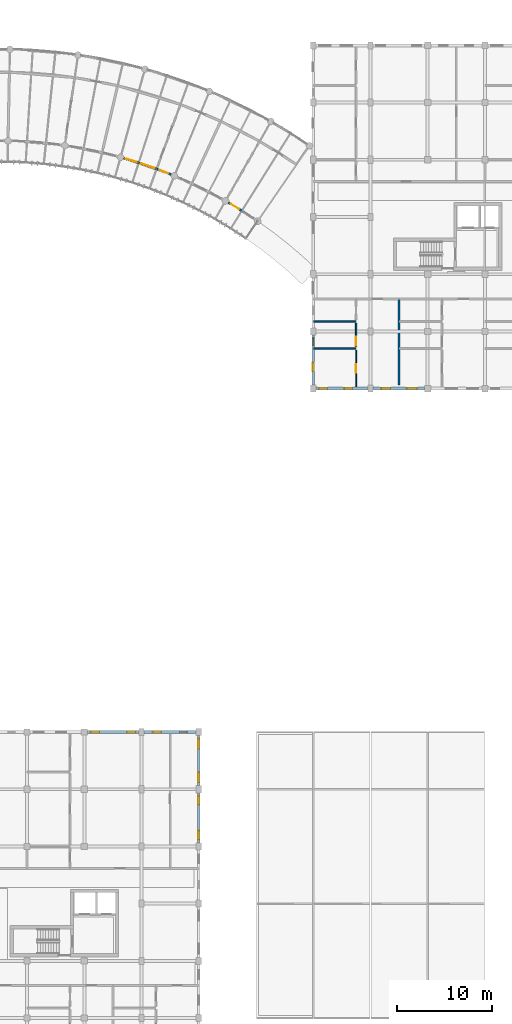
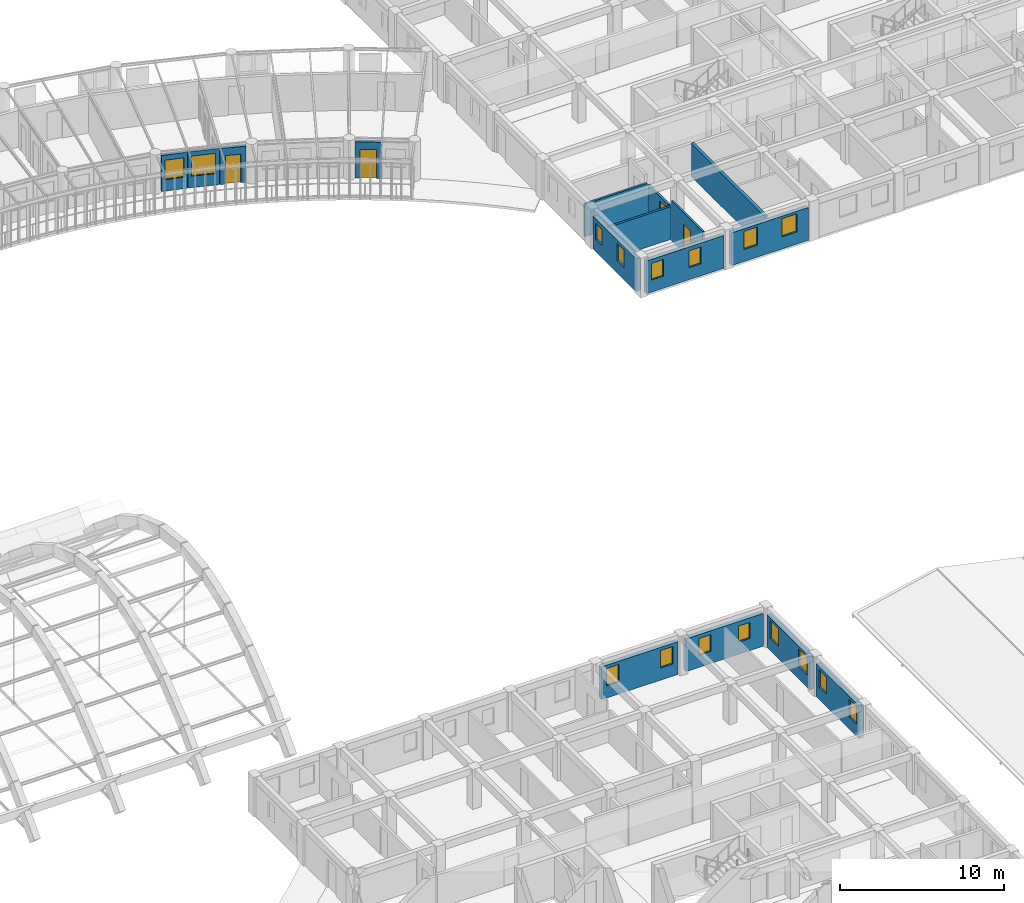
# One storey, part 96 of 123: 16 walls, 16 windows, 4 doors, 20 openings.
"""IFC4 building model written with IfcOpenShell, lengths in metres."""

from ifc_helpers import new_model, si_unit, direction, frame, frame_2d, origin, place, context, subcontext, project, spatial, rectangle, extrude, material, layer, layer_set, type_object, element, fill, save


model = new_model("IFC4")

# Units and contexts
model_context = context("Model", 3, precision=1e-05, world=origin(), true_north=direction((0.0, 1.0)))
body_context = subcontext(model_context, "Body", "Model", "MODEL_VIEW")
ifc_project = project(units=[si_unit("LENGTHUNIT", "METRE"), si_unit("AREAUNIT", "SQUARE_METRE"), si_unit("VOLUMEUNIT", "CUBIC_METRE"), si_unit("PLANEANGLEUNIT", "RADIAN"), si_unit("MASSUNIT", "GRAM", prefix="KILO"), si_unit("POWERUNIT", "WATT"), si_unit("THERMODYNAMICTEMPERATUREUNIT", "KELVIN")], contexts=[model_context])

# Site, building, storey
site_placement = place(None, origin())
site = spatial("IfcSite", under=ifc_project, at=site_placement, CompositionType="ELEMENT")
building_placement = place(site_placement, origin())
building = spatial("IfcBuilding", under=site, at=building_placement, Name="Ruvembo Vaulted Housing Court", CompositionType="ELEMENT")
storey_placement = place(building_placement, frame((0.0, 0.0, 7.699951171875)))
storey = spatial("IfcBuildingStorey", under=building, at=storey_placement, Name="L02", CompositionType="ELEMENT", Elevation=7.699951171875)

# Wall
ifc_material_1 = material(Name="Acoustic Masonry Demising 220", Category="masonry")
ifc_layer_1 = layer(ifc_material_1, 0.219970703125, Name="Acoustic Masonry Demising 220")
ifc_layer_set_1 = layer_set([ifc_layer_1], Name="Acoustic Masonry Demising 220")
wall_type_1 = type_object("IfcWallType", Name="WL-DEM-200", PredefinedType="SOLIDWALL", material=ifc_layer_set_1)
wall_1_placement = place(storey_placement, frame((159.0, 72.389892578125, 0.0), z_axis=(0.0, 0.0, 1.0), x_axis=(0.0, 1.0, 0.0)))
element("IfcWall", 1, at=wall_1_placement, inside=storey, type_object=wall_type_1, Name="L02 Demising D-L02-S1 WL-INT-L02-00632", PredefinedType="SOLIDWALL", context=body_context, shape_type="SweptSolid", body=[
    extrude(rectangle(XDim=8.97021484375, YDim=0.219970703125, at=frame_2d((4.485107421875, 0.0))), origin(), (0.0, 0.0, 1.0), 2.43701171875),
])

# Wall, opening, window
ifc_material_2 = material(Name="Rendered Masonry 235", Category="masonry")
ifc_layer_2 = layer(ifc_material_2, 0.235107421875, Name="Rendered Masonry 235")
ifc_layer_set_2 = layer_set([ifc_layer_2], Name="Rendered Masonry 235")
wall_type_2 = type_object("IfcWallType", Name="WL-EXT-235", PredefinedType="STANDARD", material=ifc_layer_set_2)
wall_2_placement = place(storey_placement, frame((130.1298828125, 96.1630859375, 0.0), z_axis=(0.0, 0.0, 1.0), x_axis=(0.958078548486, -0.286505662999, 0.0)))
wall_2 = element("IfcWall", 2, at=wall_2_placement, inside=storey, type_object=wall_type_2, Name="Scoop SC3 L02 Concave Balcony Wall 21", PredefinedType="STANDARD", context=body_context, shape_type="SweptSolid", body=[
    extrude(rectangle(XDim=1.62255859375, YDim=0.235107421875, at=frame_2d((0.811279296875, 0.0))), origin(), (0.0, 0.0, 1.0), 2.68408203125),
])
opening_1_placement = place(wall_2_placement, frame((0.211181640625, 0.0, 0.85009765625)))
opening_1 = element("IfcOpeningElement", 3, at=opening_1_placement, cuts=wall_2, Name="Opening W13", PredefinedType="OPENING", context=body_context, shape_type="SweptSolid", body=[
    extrude(rectangle(XDim=1.199951171875, YDim=1.449951171875, at=frame_2d((0.60009765625, 0.72509765625))), frame((0.0, 0.12744140625, 0.0), z_axis=(0.0, -1.0, 0.0), x_axis=(1.0, 0.0, 0.0)), (0.0, 0.0, 1.0), 0.255126953125),
])
ifc_material_3 = material(Name="Double Solar-Control Glazing in Aluminium Frame", Category="aluminium")
window_type_1 = type_object("IfcWindowType", Name="WIN-1200x1450", PartitioningType="SINGLE_PANEL", PredefinedType="WINDOW", material=ifc_material_3)
window_1_placement = place(opening_1_placement, origin())
window_1 = element("IfcWindow", 4, at=window_1_placement, inside=storey, type_object=window_type_1, Name="Scoop SC3 L02 Concave Window 21", OverallHeight=1.449951171875, OverallWidth=1.199951171875, PartitioningType="SINGLE_PANEL", PredefinedType="WINDOW", context=body_context, shape_type="SweptSolid", body=[
    extrude(rectangle(XDim=1.199951171875, YDim=1.449951171875, at=frame_2d((0.60009765625, 0.72509765625))), frame((0.0, 0.030029296875, 0.0), z_axis=(0.0, -1.0, 0.0), x_axis=(1.0, 0.0, 0.0)), (0.0, 0.0, 1.0), 0.06005859375),
])
fill(opening_1, window_1)

wall_3_placement = place(storey_placement, frame((131.722412109375, 95.68603515625, 0.0), z_axis=(0.0, 0.0, 1.0), x_axis=(0.945368994877, -0.326002244662, 0.0)))
wall_3 = element("IfcWall", 5, at=wall_3_placement, inside=storey, type_object=wall_type_2, Name="Scoop SC3 L02 Concave Balcony Wall 22", PredefinedType="STANDARD", context=body_context, shape_type="SweptSolid", body=[
    extrude(rectangle(XDim=1.952392578125, YDim=0.235107421875, at=frame_2d((0.97607421875, 0.0))), origin(), (0.0, 0.0, 1.0), 2.68408203125),
])
opening_2_placement = place(wall_3_placement, frame((0.226318359375, 0.0, 0.85009765625)))
opening_2 = element("IfcOpeningElement", 6, at=opening_2_placement, cuts=wall_3, Name="Opening W19", PredefinedType="OPENING", context=body_context, shape_type="SweptSolid", body=[
    extrude(rectangle(XDim=1.5, YDim=1.5, at=frame_2d((0.75, 0.75))), frame((0.0, 0.12744140625, 0.0), z_axis=(0.0, -1.0, 0.0), x_axis=(1.0, 0.0, 0.0)), (0.0, 0.0, 1.0), 0.255126953125),
])
window_type_2 = type_object("IfcWindowType", Name="WIN-1500x1500", PartitioningType="SINGLE_PANEL", PredefinedType="WINDOW", material=ifc_material_3)
window_2_placement = place(opening_2_placement, origin())
window_2 = element("IfcWindow", 7, at=window_2_placement, inside=storey, type_object=window_type_2, Name="Scoop SC3 L02 Concave Window 22", OverallHeight=1.5, OverallWidth=1.5, PartitioningType="SINGLE_PANEL", PredefinedType="WINDOW", context=body_context, shape_type="SweptSolid", body=[
    extrude(rectangle(XDim=1.5, YDim=1.5, at=frame_2d((0.75, 0.75))), frame((0.0, 0.030029296875, 0.0), z_axis=(0.0, -1.0, 0.0), x_axis=(1.0, 0.0, 0.0)), (0.0, 0.0, 1.0), 0.06005859375),
])
fill(opening_2, window_2)

# Wall, opening, door
wall_4_placement = place(storey_placement, frame((133.605712890625, 95.03564453125, 0.0), z_axis=(0.0, 0.0, 1.0), x_axis=(0.931038371221, -0.364921294684, 0.0)))
wall_4 = element("IfcWall", 8, at=wall_4_placement, inside=storey, type_object=wall_type_2, Name="Scoop SC3 L02 Concave Balcony Wall 23", PredefinedType="STANDARD", context=body_context, shape_type="SweptSolid", body=[
    extrude(rectangle(XDim=1.622314453125, YDim=0.235107421875, at=frame_2d((0.81103515625, 0.0))), origin(), (0.0, 0.0, 1.0), 2.68408203125),
])
opening_3_placement = place(wall_4_placement, frame((0.336181640625, 0.0, 0.0)))
opening_3 = element("IfcOpeningElement", 9, at=opening_3_placement, cuts=wall_4, Name="Opening BD0", PredefinedType="OPENING", context=body_context, shape_type="SweptSolid", body=[
    extrude(rectangle(XDim=0.949951171875, YDim=2.1201171875, at=frame_2d((0.47509765625, 1.06005859375))), frame((0.0, 0.12744140625, 0.0), z_axis=(0.0, -1.0, 0.0), x_axis=(1.0, 0.0, 0.0)), (0.0, 0.0, 1.0), 0.255126953125),
])
ifc_material_4 = material(Name="Thermally Broken Glazed Aluminium", Category="aluminium")
door_type_1 = type_object("IfcDoorType", Name="DR-BAL-0950x2120", OperationType="NOTDEFINED", PredefinedType="DOOR", material=ifc_material_4)
door_1_placement = place(opening_3_placement, frame((0.949951171875, 0.0, 0.0), z_axis=(0.0, 0.0, 1.0), x_axis=(-1.0, 0.0, 0.0)))
door_1 = element("IfcDoor", 10, at=door_1_placement, inside=storey, type_object=door_type_1, Name="Scoop SC3 L02 Balcony Door 23", OperationType="SINGLE_SWING_LEFT", OverallHeight=2.1201171875, OverallWidth=0.949951171875, PredefinedType="DOOR", context=body_context, shape_type="SweptSolid", body=[
    extrude(rectangle(XDim=0.949951171875, YDim=2.1201171875, at=frame_2d((0.47509765625, 1.06005859375))), frame((0.0, 0.02490234375, 0.0), z_axis=(0.0, -1.0, 0.0), x_axis=(1.0, 0.0, 0.0)), (0.0, 0.0, 1.0), 0.050048828125),
])
fill(opening_3, door_1)

wall_5_placement = place(storey_placement, frame((141.10400390625, 91.502197265625, 0.0), z_axis=(0.0, 0.0, 1.0), x_axis=(0.85782472272, -0.513942355805, 0.0)))
wall_5 = element("IfcWall", 11, at=wall_5_placement, inside=storey, type_object=wall_type_2, Name="Scoop SC3 L02 Concave Balcony Wall 27", PredefinedType="STANDARD", context=body_context, shape_type="SweptSolid", body=[
    extrude(rectangle(XDim=1.622314453125, YDim=0.235107421875, at=frame_2d((0.81103515625, 0.0))), origin(), (0.0, 0.0, 1.0), 2.68408203125),
])
opening_4_placement = place(wall_5_placement, frame((0.311279296875, 0.0, 0.0)))
opening_4 = element("IfcOpeningElement", 12, at=opening_4_placement, cuts=wall_5, Name="Opening BD1", PredefinedType="OPENING", context=body_context, shape_type="SweptSolid", body=[
    extrude(rectangle(XDim=1.0, YDim=2.14990234375, at=frame_2d((0.5, 1.074951171875))), frame((0.0, 0.12744140625, 0.0), z_axis=(0.0, -1.0, 0.0), x_axis=(1.0, 0.0, 0.0)), (0.0, 0.0, 1.0), 0.255126953125),
])
door_type_2 = type_object("IfcDoorType", Name="DR-BAL-1000x2150", OperationType="NOTDEFINED", PredefinedType="DOOR", material=ifc_material_4)
door_2_placement = place(opening_4_placement, frame((1.0, 0.0, 0.0), z_axis=(0.0, 0.0, 1.0), x_axis=(-1.0, 0.0, 0.0)))
door_2 = element("IfcDoor", 13, at=door_2_placement, inside=storey, type_object=door_type_2, Name="Scoop SC3 L02 Balcony Door 27", OperationType="SINGLE_SWING_RIGHT", OverallHeight=2.14990234375, OverallWidth=1.0, PredefinedType="DOOR", context=body_context, shape_type="SweptSolid", body=[
    extrude(rectangle(XDim=1.0, YDim=2.14990234375, at=frame_2d((0.5, 1.074951171875))), frame((0.0, 0.02490234375, 0.0), z_axis=(0.0, -1.0, 0.0), x_axis=(1.0, 0.0, 0.0)), (0.0, 0.0, 1.0), 0.050048828125),
])
fill(opening_4, door_2)

# Wall, openings, windows
ifc_material_5 = material(Name="Rendered Masonry 300", Category="masonry")
ifc_layer_3 = layer(ifc_material_5, 0.300048828125, Name="Rendered Masonry 300")
ifc_layer_set_3 = layer_set([ifc_layer_3], Name="Rendered Masonry 300")
wall_type_3 = type_object("IfcWallType", Name="WL-EXT-300", PredefinedType="STANDARD", material=ifc_layer_set_3)
wall_6_placement = place(storey_placement, frame((138.0, 24.375, 0.0), z_axis=(0.0, 0.0, 1.0), x_axis=(0.0, 1.0, 0.0)))
wall_6 = element("IfcWall", 14, at=wall_6_placement, inside=storey, type_object=wall_type_3, Name="Block C L02 Exterior Wall EAST #5", PredefinedType="STANDARD", context=body_context, shape_type="SweptSolid", body=[
    extrude(rectangle(XDim=5.25, YDim=0.300048828125, at=frame_2d((2.625, 0.0))), origin(), (0.0, 0.0, 1.0), 2.43701171875),
])
opening_5_placement = place(wall_6_placement, frame((0.35009765625, 0.0, 0.89990234375)))
opening_5 = element("IfcOpeningElement", 15, at=opening_5_placement, cuts=wall_6, Name="Opening W04", PredefinedType="OPENING", context=body_context, shape_type="SweptSolid", body=[
    extrude(rectangle(XDim=0.89990234375, YDim=1.300048828125, at=frame_2d((0.449951171875, 0.64990234375))), frame((0.0, 0.159912109375, 0.0), z_axis=(0.0, -1.0, 0.0), x_axis=(1.0, 0.0, 0.0)), (0.0, 0.0, 1.0), 0.320068359375),
])
opening_6_placement = place(wall_6_placement, frame((4.0, 0.0, 0.89990234375)))
opening_6 = element("IfcOpeningElement", 16, at=opening_6_placement, cuts=wall_6, Name="Opening W04", PredefinedType="OPENING", context=body_context, shape_type="SweptSolid", body=[
    extrude(rectangle(XDim=0.89990234375, YDim=1.300048828125, at=frame_2d((0.449951171875, 0.64990234375))), frame((0.0, 0.159912109375, 0.0), z_axis=(0.0, -1.0, 0.0), x_axis=(1.0, 0.0, 0.0)), (0.0, 0.0, 1.0), 0.320068359375),
])
window_type_3 = type_object("IfcWindowType", Name="WIN-0900x1300", PartitioningType="SINGLE_PANEL", PredefinedType="WINDOW", material=ifc_material_3)
window_3_placement = place(opening_5_placement, origin())
window_3 = element("IfcWindow", 17, at=window_3_placement, inside=storey, type_object=window_type_3, Name="Block C L02 Window #1172", OverallHeight=1.300048828125, OverallWidth=0.89990234375, PartitioningType="SINGLE_PANEL", PredefinedType="WINDOW", context=body_context, shape_type="SweptSolid", body=[
    extrude(rectangle(XDim=0.89990234375, YDim=1.300048828125, at=frame_2d((0.449951171875, 0.64990234375))), frame((0.0, 0.030029296875, 0.0), z_axis=(0.0, -1.0, 0.0), x_axis=(1.0, 0.0, 0.0)), (0.0, 0.0, 1.0), 0.06005859375),
])
fill(opening_5, window_3)
window_4_placement = place(opening_6_placement, origin())
window_4 = element("IfcWindow", 18, at=window_4_placement, inside=storey, type_object=window_type_3, Name="Block C L02 Window #1173", OverallHeight=1.300048828125, OverallWidth=0.89990234375, PartitioningType="SINGLE_PANEL", PredefinedType="WINDOW", context=body_context, shape_type="SweptSolid", body=[
    extrude(rectangle(XDim=0.89990234375, YDim=1.300048828125, at=frame_2d((0.449951171875, 0.64990234375))), frame((0.0, 0.030029296875, 0.0), z_axis=(0.0, -1.0, 0.0), x_axis=(1.0, 0.0, 0.0)), (0.0, 0.0, 1.0), 0.06005859375),
])
fill(opening_6, window_4)

wall_7_placement = place(storey_placement, frame((138.0, 30.375, 0.0), z_axis=(0.0, 0.0, 1.0), x_axis=(0.0, 1.0, 0.0)))
wall_7 = element("IfcWall", 19, at=wall_7_placement, inside=storey, type_object=wall_type_3, Name="Block C L02 Exterior Wall EAST #6", PredefinedType="STANDARD", context=body_context, shape_type="SweptSolid", body=[
    extrude(rectangle(XDim=5.25, YDim=0.300048828125, at=frame_2d((2.625, 0.0))), origin(), (0.0, 0.0, 1.0), 2.43701171875),
])
opening_7_placement = place(wall_7_placement, frame((0.35009765625, 0.0, 0.89990234375)))
opening_7 = element("IfcOpeningElement", 20, at=opening_7_placement, cuts=wall_7, Name="Opening W09", PredefinedType="OPENING", context=body_context, shape_type="SweptSolid", body=[
    extrude(rectangle(XDim=1.050048828125, YDim=1.35009765625, at=frame_2d((0.52490234375, 0.675048828125))), frame((0.0, 0.159912109375, 0.0), z_axis=(0.0, -1.0, 0.0), x_axis=(1.0, 0.0, 0.0)), (0.0, 0.0, 1.0), 0.320068359375),
])
opening_8_placement = place(wall_7_placement, frame((3.85009765625, 0.0, 0.89990234375)))
opening_8 = element("IfcOpeningElement", 21, at=opening_8_placement, cuts=wall_7, Name="Opening W09", PredefinedType="OPENING", context=body_context, shape_type="SweptSolid", body=[
    extrude(rectangle(XDim=1.050048828125, YDim=1.35009765625, at=frame_2d((0.52490234375, 0.675048828125))), frame((0.0, 0.159912109375, 0.0), z_axis=(0.0, -1.0, 0.0), x_axis=(1.0, 0.0, 0.0)), (0.0, 0.0, 1.0), 0.320068359375),
])
window_type_4 = type_object("IfcWindowType", Name="WIN-1050x1350", PartitioningType="SINGLE_PANEL", PredefinedType="WINDOW", material=ifc_material_3)
window_5_placement = place(opening_7_placement, origin())
window_5 = element("IfcWindow", 22, at=window_5_placement, inside=storey, type_object=window_type_4, Name="Block C L02 Window #1174", OverallHeight=1.35009765625, OverallWidth=1.050048828125, PartitioningType="SINGLE_PANEL", PredefinedType="WINDOW", context=body_context, shape_type="SweptSolid", body=[
    extrude(rectangle(XDim=1.050048828125, YDim=1.35009765625, at=frame_2d((0.52490234375, 0.675048828125))), frame((0.0, 0.030029296875, 0.0), z_axis=(0.0, -1.0, 0.0), x_axis=(1.0, 0.0, 0.0)), (0.0, 0.0, 1.0), 0.06005859375),
])
fill(opening_7, window_5)
window_6_placement = place(opening_8_placement, origin())
window_6 = element("IfcWindow", 23, at=window_6_placement, inside=storey, type_object=window_type_4, Name="Block C L02 Window #1175", OverallHeight=1.35009765625, OverallWidth=1.050048828125, PartitioningType="SINGLE_PANEL", PredefinedType="WINDOW", context=body_context, shape_type="SweptSolid", body=[
    extrude(rectangle(XDim=1.050048828125, YDim=1.35009765625, at=frame_2d((0.52490234375, 0.675048828125))), frame((0.0, 0.030029296875, 0.0), z_axis=(0.0, -1.0, 0.0), x_axis=(1.0, 0.0, 0.0)), (0.0, 0.0, 1.0), 0.06005859375),
])
fill(opening_8, window_6)

wall_8_placement = place(storey_placement, frame((137.72509765625, 36.0, 0.0), z_axis=(0.0, 0.0, 1.0), x_axis=(-1.0, 0.0, 0.0)))
wall_8 = element("IfcWall", 24, at=wall_8_placement, inside=storey, type_object=wall_type_3, Name="Block C L02 Exterior Wall COURTYARD #1", PredefinedType="STANDARD", context=body_context, shape_type="SweptSolid", body=[
    extrude(rectangle(XDim=5.4501953125, YDim=0.300048828125, at=frame_2d((2.72509765625, 0.0))), origin(), (0.0, 0.0, 1.0), 2.43701171875),
])
opening_9_placement = place(wall_8_placement, frame((0.9423828125, 0.0, 0.89990234375)))
opening_9 = element("IfcOpeningElement", 25, at=opening_9_placement, cuts=wall_8, Name="Opening W02", PredefinedType="OPENING", context=body_context, shape_type="SweptSolid", body=[
    extrude(rectangle(XDim=0.800048828125, YDim=1.199951171875, at=frame_2d((0.39990234375, 0.60009765625))), frame((0.0, 0.159912109375, 0.0), z_axis=(0.0, -1.0, 0.0), x_axis=(1.0, 0.0, 0.0)), (0.0, 0.0, 1.0), 0.320068359375),
])
opening_10_placement = place(wall_8_placement, frame((3.6826171875, 0.0, 0.89990234375)))
opening_10 = element("IfcOpeningElement", 26, at=opening_10_placement, cuts=wall_8, Name="Opening W03", PredefinedType="OPENING", context=body_context, shape_type="SweptSolid", body=[
    extrude(rectangle(XDim=0.85009765625, YDim=1.25, at=frame_2d((0.425048828125, 0.625))), frame((0.0, 0.159912109375, 0.0), z_axis=(0.0, -1.0, 0.0), x_axis=(1.0, 0.0, 0.0)), (0.0, 0.0, 1.0), 0.320068359375),
])
window_type_5 = type_object("IfcWindowType", Name="WIN-0800x1200", PartitioningType="SINGLE_PANEL", PredefinedType="WINDOW", material=ifc_material_3)
window_7_placement = place(opening_9_placement, origin())
window_7 = element("IfcWindow", 27, at=window_7_placement, inside=storey, type_object=window_type_5, Name="Block C L02 Window #1176", OverallHeight=1.199951171875, OverallWidth=0.800048828125, PartitioningType="SINGLE_PANEL", PredefinedType="WINDOW", context=body_context, shape_type="SweptSolid", body=[
    extrude(rectangle(XDim=0.800048828125, YDim=1.199951171875, at=frame_2d((0.39990234375, 0.60009765625))), frame((0.0, 0.030029296875, 0.0), z_axis=(0.0, -1.0, 0.0), x_axis=(1.0, 0.0, 0.0)), (0.0, 0.0, 1.0), 0.06005859375),
])
fill(opening_9, window_7)
window_type_6 = type_object("IfcWindowType", Name="WIN-0850x1250", PartitioningType="SINGLE_PANEL", PredefinedType="WINDOW", material=ifc_material_3)
window_8_placement = place(opening_10_placement, origin())
window_8 = element("IfcWindow", 28, at=window_8_placement, inside=storey, type_object=window_type_6, Name="Block C L02 Window #1177", OverallHeight=1.25, OverallWidth=0.85009765625, PartitioningType="SINGLE_PANEL", PredefinedType="WINDOW", context=body_context, shape_type="SweptSolid", body=[
    extrude(rectangle(XDim=0.85009765625, YDim=1.25, at=frame_2d((0.425048828125, 0.625))), frame((0.0, 0.030029296875, 0.0), z_axis=(0.0, -1.0, 0.0), x_axis=(1.0, 0.0, 0.0)), (0.0, 0.0, 1.0), 0.06005859375),
])
fill(opening_10, window_8)

wall_9_placement = place(storey_placement, frame((131.72509765625, 36.0, 0.0), z_axis=(0.0, 0.0, 1.0), x_axis=(-1.0, 0.0, 0.0)))
wall_9 = element("IfcWall", 29, at=wall_9_placement, inside=storey, type_object=wall_type_3, Name="Block C L02 Exterior Wall COURTYARD #2", PredefinedType="STANDARD", context=body_context, shape_type="SweptSolid", body=[
    extrude(rectangle(XDim=5.400146484375, YDim=0.300048828125, at=frame_2d((2.7001953125, 0.0))), origin(), (0.0, 0.0, 1.0), 2.43701171875),
])
opening_11_placement = place(wall_9_placement, frame((0.35009765625, 0.0, 0.89990234375)))
opening_11 = element("IfcOpeningElement", 30, at=opening_11_placement, cuts=wall_9, Name="Opening W04", PredefinedType="OPENING", context=body_context, shape_type="SweptSolid", body=[
    extrude(rectangle(XDim=0.89990234375, YDim=1.300048828125, at=frame_2d((0.449951171875, 0.64990234375))), frame((0.0, 0.159912109375, 0.0), z_axis=(0.0, -1.0, 0.0), x_axis=(1.0, 0.0, 0.0)), (0.0, 0.0, 1.0), 0.320068359375),
])
opening_12_placement = place(wall_9_placement, frame((4.14990234375, 0.0, 0.89990234375)))
opening_12 = element("IfcOpeningElement", 31, at=opening_12_placement, cuts=wall_9, Name="Opening W04", PredefinedType="OPENING", context=body_context, shape_type="SweptSolid", body=[
    extrude(rectangle(XDim=0.89990234375, YDim=1.300048828125, at=frame_2d((0.449951171875, 0.64990234375))), frame((0.0, 0.159912109375, 0.0), z_axis=(0.0, -1.0, 0.0), x_axis=(1.0, 0.0, 0.0)), (0.0, 0.0, 1.0), 0.320068359375),
])
window_9_placement = place(opening_11_placement, origin())
window_9 = element("IfcWindow", 32, at=window_9_placement, inside=storey, type_object=window_type_3, Name="Block C L02 Window #1178", OverallHeight=1.300048828125, OverallWidth=0.89990234375, PartitioningType="SINGLE_PANEL", PredefinedType="WINDOW", context=body_context, shape_type="SweptSolid", body=[
    extrude(rectangle(XDim=0.89990234375, YDim=1.300048828125, at=frame_2d((0.449951171875, 0.64990234375))), frame((0.0, 0.030029296875, 0.0), z_axis=(0.0, -1.0, 0.0), x_axis=(1.0, 0.0, 0.0)), (0.0, 0.0, 1.0), 0.06005859375),
])
fill(opening_11, window_9)
window_10_placement = place(opening_12_placement, origin())
window_10 = element("IfcWindow", 33, at=window_10_placement, inside=storey, type_object=window_type_3, Name="Block C L02 Window #1179", OverallHeight=1.300048828125, OverallWidth=0.89990234375, PartitioningType="SINGLE_PANEL", PredefinedType="WINDOW", context=body_context, shape_type="SweptSolid", body=[
    extrude(rectangle(XDim=0.89990234375, YDim=1.300048828125, at=frame_2d((0.449951171875, 0.64990234375))), frame((0.0, 0.030029296875, 0.0), z_axis=(0.0, -1.0, 0.0), x_axis=(1.0, 0.0, 0.0)), (0.0, 0.0, 1.0), 0.06005859375),
])
fill(opening_12, window_10)

wall_10_placement = place(storey_placement, frame((150.27490234375, 72.0, 0.0), z_axis=(0.0, 0.0, 1.0), x_axis=(1.0, 0.0, 0.0)))
wall_10 = element("IfcWall", 34, at=wall_10_placement, inside=storey, type_object=wall_type_3, Name="Block D L02 Exterior Wall COURTYARD #1", PredefinedType="STANDARD", context=body_context, shape_type="SweptSolid", body=[
    extrude(rectangle(XDim=5.4501953125, YDim=0.300048828125, at=frame_2d((2.72509765625, 0.0))), origin(), (0.0, 0.0, 1.0), 2.43701171875),
])
opening_13_placement = place(wall_10_placement, frame((0.35009765625, 0.0, 0.89990234375)))
opening_13 = element("IfcOpeningElement", 35, at=opening_13_placement, cuts=wall_10, Name="Opening W03", PredefinedType="OPENING", context=body_context, shape_type="SweptSolid", body=[
    extrude(rectangle(XDim=0.85009765625, YDim=1.25, at=frame_2d((0.425048828125, 0.625))), frame((0.0, 0.159912109375, 0.0), z_axis=(0.0, -1.0, 0.0), x_axis=(1.0, 0.0, 0.0)), (0.0, 0.0, 1.0), 0.320068359375),
])
opening_14_placement = place(wall_10_placement, frame((2.985107421875, 0.0, 0.89990234375)))
opening_14 = element("IfcOpeningElement", 36, at=opening_14_placement, cuts=wall_10, Name="Opening W03", PredefinedType="OPENING", context=body_context, shape_type="SweptSolid", body=[
    extrude(rectangle(XDim=0.85009765625, YDim=1.25, at=frame_2d((0.425048828125, 0.625))), frame((0.0, 0.159912109375, 0.0), z_axis=(0.0, -1.0, 0.0), x_axis=(1.0, 0.0, 0.0)), (0.0, 0.0, 1.0), 0.320068359375),
])
window_11_placement = place(opening_13_placement, origin())
window_11 = element("IfcWindow", 37, at=window_11_placement, inside=storey, type_object=window_type_6, Name="Block D L02 Window #1531", OverallHeight=1.25, OverallWidth=0.85009765625, PartitioningType="SINGLE_PANEL", PredefinedType="WINDOW", context=body_context, shape_type="SweptSolid", body=[
    extrude(rectangle(XDim=0.85009765625, YDim=1.25, at=frame_2d((0.425048828125, 0.625))), frame((0.0, 0.030029296875, 0.0), z_axis=(0.0, -1.0, 0.0), x_axis=(1.0, 0.0, 0.0)), (0.0, 0.0, 1.0), 0.06005859375),
])
fill(opening_13, window_11)
window_12_placement = place(opening_14_placement, origin())
window_12 = element("IfcWindow", 38, at=window_12_placement, inside=storey, type_object=window_type_6, Name="Block D L02 Window #1532", OverallHeight=1.25, OverallWidth=0.85009765625, PartitioningType="SINGLE_PANEL", PredefinedType="WINDOW", context=body_context, shape_type="SweptSolid", body=[
    extrude(rectangle(XDim=0.85009765625, YDim=1.25, at=frame_2d((0.425048828125, 0.625))), frame((0.0, 0.030029296875, 0.0), z_axis=(0.0, -1.0, 0.0), x_axis=(1.0, 0.0, 0.0)), (0.0, 0.0, 1.0), 0.06005859375),
])
fill(opening_14, window_12)

wall_11_placement = place(storey_placement, frame((156.27490234375, 72.0, 0.0), z_axis=(0.0, 0.0, 1.0), x_axis=(1.0, 0.0, 0.0)))
wall_11 = element("IfcWall", 39, at=wall_11_placement, inside=storey, type_object=wall_type_3, Name="Block D L02 Exterior Wall COURTYARD #2", PredefinedType="STANDARD", context=body_context, shape_type="SweptSolid", body=[
    extrude(rectangle(XDim=5.400146484375, YDim=0.300048828125, at=frame_2d((2.7001953125, 0.0))), origin(), (0.0, 0.0, 1.0), 2.43701171875),
])
opening_15_placement = place(wall_11_placement, frame((0.867431640625, 0.0, 0.89990234375)))
opening_15 = element("IfcOpeningElement", 40, at=opening_15_placement, cuts=wall_11, Name="Opening W07", PredefinedType="OPENING", context=body_context, shape_type="SweptSolid", body=[
    extrude(rectangle(XDim=0.949951171875, YDim=1.35009765625, at=frame_2d((0.47509765625, 0.675048828125))), frame((0.0, 0.159912109375, 0.0), z_axis=(0.0, -1.0, 0.0), x_axis=(1.0, 0.0, 0.0)), (0.0, 0.0, 1.0), 0.320068359375),
])
opening_16_placement = place(wall_11_placement, frame((3.5576171875, 0.0, 0.89990234375)))
opening_16 = element("IfcOpeningElement", 41, at=opening_16_placement, cuts=wall_11, Name="Opening W09", PredefinedType="OPENING", context=body_context, shape_type="SweptSolid", body=[
    extrude(rectangle(XDim=1.050048828125, YDim=1.35009765625, at=frame_2d((0.52490234375, 0.675048828125))), frame((0.0, 0.159912109375, 0.0), z_axis=(0.0, -1.0, 0.0), x_axis=(1.0, 0.0, 0.0)), (0.0, 0.0, 1.0), 0.320068359375),
])
window_type_7 = type_object("IfcWindowType", Name="WIN-0950x1350", PartitioningType="SINGLE_PANEL", PredefinedType="WINDOW", material=ifc_material_3)
window_13_placement = place(opening_15_placement, origin())
window_13 = element("IfcWindow", 42, at=window_13_placement, inside=storey, type_object=window_type_7, Name="Block D L02 Window #1533", OverallHeight=1.35009765625, OverallWidth=0.949951171875, PartitioningType="SINGLE_PANEL", PredefinedType="WINDOW", context=body_context, shape_type="SweptSolid", body=[
    extrude(rectangle(XDim=0.949951171875, YDim=1.35009765625, at=frame_2d((0.47509765625, 0.675048828125))), frame((0.0, 0.030029296875, 0.0), z_axis=(0.0, -1.0, 0.0), x_axis=(1.0, 0.0, 0.0)), (0.0, 0.0, 1.0), 0.06005859375),
])
fill(opening_15, window_13)
window_14_placement = place(opening_16_placement, origin())
window_14 = element("IfcWindow", 43, at=window_14_placement, inside=storey, type_object=window_type_4, Name="Block D L02 Window #1534", OverallHeight=1.35009765625, OverallWidth=1.050048828125, PartitioningType="SINGLE_PANEL", PredefinedType="WINDOW", context=body_context, shape_type="SweptSolid", body=[
    extrude(rectangle(XDim=1.050048828125, YDim=1.35009765625, at=frame_2d((0.52490234375, 0.675048828125))), frame((0.0, 0.030029296875, 0.0), z_axis=(0.0, -1.0, 0.0), x_axis=(1.0, 0.0, 0.0)), (0.0, 0.0, 1.0), 0.06005859375),
])
fill(opening_16, window_14)

wall_12_placement = place(storey_placement, frame((150.0, 77.625, 0.0), z_axis=(0.0, 0.0, 1.0), x_axis=(0.0, -1.0, 0.0)))
wall_12 = element("IfcWall", 44, at=wall_12_placement, inside=storey, type_object=wall_type_3, Name="Block D L02 Exterior Wall WEST #6", PredefinedType="STANDARD", context=body_context, shape_type="SweptSolid", body=[
    extrude(rectangle(XDim=5.25, YDim=0.300048828125, at=frame_2d((2.625, 0.0))), origin(), (0.0, 0.0, 1.0), 2.43701171875),
])
opening_17_placement = place(wall_12_placement, frame((0.29248046875, 0.0, 0.89990234375)))
opening_17 = element("IfcOpeningElement", 45, at=opening_17_placement, cuts=wall_12, Name="Opening W02", PredefinedType="OPENING", context=body_context, shape_type="SweptSolid", body=[
    extrude(rectangle(XDim=0.800048828125, YDim=1.199951171875, at=frame_2d((0.39990234375, 0.60009765625))), frame((0.0, 0.159912109375, 0.0), z_axis=(0.0, -1.0, 0.0), x_axis=(1.0, 0.0, 0.0)), (0.0, 0.0, 1.0), 0.320068359375),
])
opening_18_placement = place(wall_12_placement, frame((2.907470703125, 0.0, 0.89990234375)))
opening_18 = element("IfcOpeningElement", 46, at=opening_18_placement, cuts=wall_12, Name="Opening W04", PredefinedType="OPENING", context=body_context, shape_type="SweptSolid", body=[
    extrude(rectangle(XDim=0.89990234375, YDim=1.300048828125, at=frame_2d((0.449951171875, 0.64990234375))), frame((0.0, 0.159912109375, 0.0), z_axis=(0.0, -1.0, 0.0), x_axis=(1.0, 0.0, 0.0)), (0.0, 0.0, 1.0), 0.320068359375),
])
window_15_placement = place(opening_17_placement, origin())
window_15 = element("IfcWindow", 47, at=window_15_placement, inside=storey, type_object=window_type_5, Name="Block D L02 Window #1573", OverallHeight=1.199951171875, OverallWidth=0.800048828125, PartitioningType="SINGLE_PANEL", PredefinedType="WINDOW", context=body_context, shape_type="SweptSolid", body=[
    extrude(rectangle(XDim=0.800048828125, YDim=1.199951171875, at=frame_2d((0.39990234375, 0.60009765625))), frame((0.0, 0.030029296875, 0.0), z_axis=(0.0, -1.0, 0.0), x_axis=(1.0, 0.0, 0.0)), (0.0, 0.0, 1.0), 0.06005859375),
])
fill(opening_17, window_15)
window_16_placement = place(opening_18_placement, origin())
window_16 = element("IfcWindow", 48, at=window_16_placement, inside=storey, type_object=window_type_3, Name="Block D L02 Window #1574", OverallHeight=1.300048828125, OverallWidth=0.89990234375, PartitioningType="SINGLE_PANEL", PredefinedType="WINDOW", context=body_context, shape_type="SweptSolid", body=[
    extrude(rectangle(XDim=0.89990234375, YDim=1.300048828125, at=frame_2d((0.449951171875, 0.64990234375))), frame((0.0, 0.030029296875, 0.0), z_axis=(0.0, -1.0, 0.0), x_axis=(1.0, 0.0, 0.0)), (0.0, 0.0, 1.0), 0.06005859375),
])
fill(opening_18, window_16)

# Wall, opening, door
ifc_material_6 = material(Name="Plasterboard Stud Partition 125", Category="gypsum")
ifc_layer_4 = layer(ifc_material_6, 0.125, Name="Plasterboard Stud Partition 125")
ifc_layer_set_4 = layer_set([ifc_layer_4], Name="Plasterboard Stud Partition 125")
wall_type_4 = type_object("IfcWallType", Name="WL-PART-125", PredefinedType="PARTITIONING", material=ifc_layer_set_4)
wall_13_placement = place(storey_placement, frame((154.5, 72.18994140625, 0.0), z_axis=(0.0, 0.0, 1.0), x_axis=(0.0, 1.0, 0.0)))
wall_13 = element("IfcWall", 49, at=wall_13_placement, inside=storey, type_object=wall_type_4, Name="L02 Flat D-L02-S1 Bedroom 1 WL-INT-L02-00635", PredefinedType="PARTITIONING", context=body_context, shape_type="SweptSolid", body=[
    extrude(rectangle(XDim=3.820068359375, YDim=0.125, at=frame_2d((1.91015625, 0.0))), origin(), (0.0, 0.0, 1.0), 2.955078125),
])
opening_19_placement = place(wall_13_placement, frame((1.469970703125, 0.0, 0.0)))
opening_19 = element("IfcOpeningElement", 50, at=opening_19_placement, cuts=wall_13, Name="Opening ID3", PredefinedType="OPENING", context=body_context, shape_type="SweptSolid", body=[
    extrude(rectangle(XDim=0.8798828125, YDim=2.10009765625, at=frame_2d((0.43994140625, 1.050048828125))), frame((0.0, 0.072509765625, 0.0), z_axis=(0.0, -1.0, 0.0), x_axis=(1.0, 0.0, 0.0)), (0.0, 0.0, 1.0), 0.14501953125),
])
ifc_material_7 = material(Name="FSC Hardwood and Engineered Timber", Category="wood")
door_type_3 = type_object("IfcDoorType", Name="DR-ROOM-0880x2100", OperationType="NOTDEFINED", PredefinedType="DOOR", material=ifc_material_7)
door_3_placement = place(opening_19_placement, origin())
door_3 = element("IfcDoor", 51, at=door_3_placement, inside=storey, type_object=door_type_3, Name="L02 Flat D-L02-S1 Bedroom 1 Door DR-INT-L02-00343", OperationType="SINGLE_SWING_LEFT", OverallHeight=2.10009765625, OverallWidth=0.8798828125, PredefinedType="DOOR", context=body_context, shape_type="SweptSolid", body=[
    extrude(rectangle(XDim=0.8798828125, YDim=2.10009765625, at=frame_2d((0.43994140625, 1.050048828125))), frame((0.0, 0.02490234375, 0.0), z_axis=(0.0, -1.0, 0.0), x_axis=(1.0, 0.0, 0.0)), (0.0, 0.0, 1.0), 0.050048828125),
])
fill(opening_19, door_3)

# Walls
ifc_material_8 = material(Name="Moisture-Resistant Wet Partition 150", Category="gypsum")
ifc_layer_5 = layer(ifc_material_8, 0.14990234375, Name="Moisture-Resistant Wet Partition 150")
ifc_layer_set_5 = layer_set([ifc_layer_5], Name="Moisture-Resistant Wet Partition 150")
wall_type_5 = type_object("IfcWallType", Name="WL-PART-150", PredefinedType="PARTITIONING", material=ifc_layer_set_5)
for number, where, z_axis, x_axis, name in (
    (52, (150.0400390625, 76.199951171875, 0.0), (0.0, 0.0, 1.0), (1.0, 0.0, 0.0), "L02 Flat D-L02-S1 Wet Wall 1 WL-INT-L02-00638"),
    (53, (150.0400390625, 79.050048828125, 0.0), (0.0, 0.0, 1.0), (1.0, 0.0, 0.0), "L02 Flat D-L02-S1 Wet Wall 2 WL-INT-L02-00639"),
):
    element("IfcWall", number, at=place(storey_placement, frame(where, z_axis=z_axis, x_axis=x_axis)), inside=storey, type_object=wall_type_5, Name=name, PredefinedType="PARTITIONING", context=body_context, shape_type="SweptSolid", body=[
        extrude(rectangle(XDim=4.419921875, YDim=0.14990234375, at=frame_2d((2.2099609375, 0.0))), origin(), (0.0, 0.0, 1.0), 2.43701171875),
    ])

# Wall, opening, door
ifc_material_9 = material(Name="Acoustic Service Chase Wall 160", Category="gypsum")
ifc_layer_6 = layer(ifc_material_9, 0.159912109375, Name="Acoustic Service Chase Wall 160")
ifc_layer_set_6 = layer_set([ifc_layer_6], Name="Acoustic Service Chase Wall 160")
wall_type_6 = type_object("IfcWallType", Name="WL-PLUMB-160", PredefinedType="PLUMBINGWALL", material=ifc_layer_set_6)
wall_14_placement = place(storey_placement, frame((154.5, 76.389892578125, 0.0), z_axis=(0.0, 0.0, 1.0), x_axis=(0.0, 1.0, 0.0)))
wall_14 = element("IfcWall", 54, at=wall_14_placement, inside=storey, type_object=wall_type_6, Name="L02 Flat D-L02-S1 Kitchen WL-INT-L02-00636", PredefinedType="PLUMBINGWALL", context=body_context, shape_type="SweptSolid", body=[
    extrude(rectangle(XDim=2.47021484375, YDim=0.159912109375, at=frame_2d((1.235107421875, 0.0))), origin(), (0.0, 0.0, 1.0), 2.43701171875),
])
opening_20_placement = place(wall_14_placement, frame((0.1298828125, 0.0, 0.0)))
opening_20 = element("IfcOpeningElement", 55, at=opening_20_placement, cuts=wall_14, Name="Opening ID1", PredefinedType="OPENING", context=body_context, shape_type="SweptSolid", body=[
    extrude(rectangle(XDim=0.89990234375, YDim=2.10009765625, at=frame_2d((0.449951171875, 1.050048828125))), frame((0.0, 0.08984375, 0.0), z_axis=(0.0, -1.0, 0.0), x_axis=(1.0, 0.0, 0.0)), (0.0, 0.0, 1.0), 0.179931640625),
])
door_type_4 = type_object("IfcDoorType", Name="DR-ROOM-0900x2100", OperationType="NOTDEFINED", PredefinedType="DOOR", material=ifc_material_7)
door_4_placement = place(opening_20_placement, origin())
door_4 = element("IfcDoor", 56, at=door_4_placement, inside=storey, type_object=door_type_4, Name="L02 Flat D-L02-S1 Kitchen Door DR-INT-L02-00344", OperationType="SINGLE_SWING_RIGHT", OverallHeight=2.10009765625, OverallWidth=0.89990234375, PredefinedType="DOOR", context=body_context, shape_type="SweptSolid", body=[
    extrude(rectangle(XDim=0.89990234375, YDim=2.10009765625, at=frame_2d((0.449951171875, 1.050048828125))), frame((0.0, 0.02490234375, 0.0), z_axis=(0.0, -1.0, 0.0), x_axis=(1.0, 0.0, 0.0)), (0.0, 0.0, 1.0), 0.050048828125),
])
fill(opening_20, door_4)

save(model, "model.ifc")
